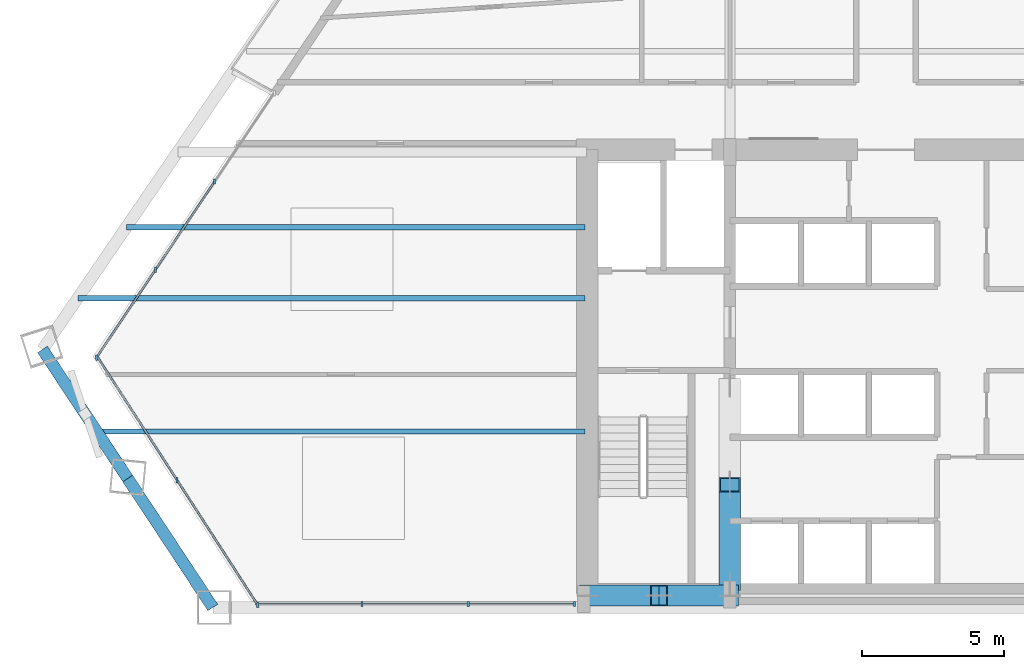
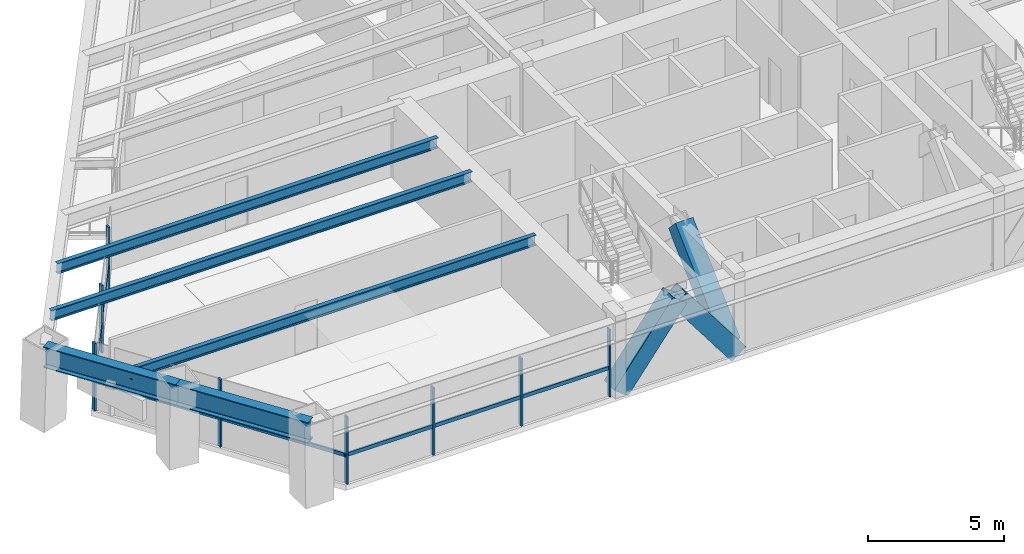
# One storey, part 2 of 14: 18 members, 5 beams, 3 elements without a shape of their own.
"""IFC4 building model written with IfcOpenShell, lengths in metres."""

from ifc_helpers import new_model, si_unit, direction, frame, origin, origin_2d, place, context, subcontext, project, spatial, rectangle, hollow_rectangle, i_section, extrude, source, transform, mapped, material, material_profile, profile_set, type_object, type_shapes, element, aggregate, save


model = new_model("IFC4")

# Units and contexts
model_context = context("Model", 3, precision=1e-05, world=origin(), true_north=direction((0.0, 1.0)))
body_context = subcontext(model_context, "Body", "Model", "MODEL_VIEW")
ifc_project = project(units=[si_unit("LENGTHUNIT", "METRE"), si_unit("AREAUNIT", "SQUARE_METRE"), si_unit("VOLUMEUNIT", "CUBIC_METRE"), si_unit("PLANEANGLEUNIT", "RADIAN"), si_unit("MASSUNIT", "GRAM", prefix="KILO")], contexts=[model_context])

# Site, building, storey
site_placement = place(None, origin())
site = spatial("IfcSite", under=ifc_project, at=site_placement, CompositionType="ELEMENT")
building_placement = place(site_placement, origin())
building = spatial("IfcBuilding", under=site, at=building_placement, Name="Varnakhor Terracotta Tower", CompositionType="ELEMENT")
storey_placement = place(building_placement, frame((0.0, 0.0, 98.800048828125)))
storey = spatial("IfcBuildingStorey", under=building, at=storey_placement, Name="L24", CompositionType="ELEMENT", Elevation=98.800048828125)

# Members
ifc_material_1 = material(Name="Steel S460", Category="steel")
ifc_material_profile_1 = material_profile(ifc_material_1, hollow_rectangle(XDim=0.75, YDim=0.75, WallThickness=0.044921875, at=origin_2d()), Name="HSS750X750X45")
ifc_profile_set_1 = profile_set([ifc_material_profile_1], Name="Steel S460")
member_type_1 = type_object("IfcMemberType", Name="MBR-MEGA-750", PredefinedType="BRACE", material=ifc_profile_set_1)
shared_shape_1 = source(origin(), body_context, "Body", "SweptSolid", [
    extrude(hollow_rectangle(XDim=0.75, YDim=0.75, WallThickness=0.044921875, at=origin_2d()), origin(), (0.0, 0.0, 1.0), 4.14013671875),
])
type_shapes(member_type_1, [shared_shape_1])
for number, where, z_axis, x_axis, name in (
    (1, (-10.5, 0.419921875, 0.0), (0.603852011179, 0.0, 0.797096448741), (0.0, 1.0, 0.0), "L24 Core Coupled Brace CSWA"),
    (2, (-5.5, 0.419921875, 0.0), (-0.603852011179, 0.0, 0.797096448741), (0.0, -1.0, 0.0), "L24 Core Coupled Brace CSWB"),
):
    element("IfcMember", number, at=place(storey_placement, frame(where, z_axis=z_axis, x_axis=x_axis)), inside=storey, type_object=member_type_1, Name=name, PredefinedType="BRACE", context=body_context, shape_type="MappedRepresentation", body=[
        mapped(shared_shape_1, transform((0.0, 0.0, 0.0), scale=1.0)),
    ])
shared_shape_2 = source(origin(), body_context, "Body", "SweptSolid", [
    extrude(hollow_rectangle(XDim=0.75, YDim=0.75, WallThickness=0.044921875, at=origin_2d()), origin(), (0.0, 0.0, 1.0), 4.792236328125),
])
member_1_placement = place(storey_placement, frame((-5.5, 0.85009765625, 0.0), z_axis=(0.0, 0.725110085518, 0.688632967466), x_axis=(-1.0, 0.0, 0.0)))
element("IfcMember", 3, at=member_1_placement, inside=storey, type_object=member_type_1, Name="L24 Core Coupled Brace CWWA", PredefinedType="BRACE", context=body_context, shape_type="MappedRepresentation", body=[
    mapped(shared_shape_2, transform((0.0, 0.0, 0.0), scale=1.0)),
])

# Beams
ifc_material_2 = material(Name="Steel S355", Category="steel")
ifc_material_profile_2 = material_profile(ifc_material_2, i_section(OverallWidth=0.41796875, OverallDepth=0.927001953125, WebThickness=0.01904296875, FlangeThickness=0.031982421875, FilletRadius=0.01806640625, at=origin_2d()), Name="W36X231")
ifc_profile_set_2 = profile_set([ifc_material_profile_2], Name="Steel S355")
beam_type_1 = type_object("IfcBeamType", Name="BM-W36X231", PredefinedType="BEAM", material=ifc_profile_set_2)
shared_shape_3 = source(origin(), body_context, "Body", "SweptSolid", [
    extrude(i_section(OverallWidth=0.41796875, OverallDepth=0.927001953125, WebThickness=0.01904296875, FlangeThickness=0.031982421875, FilletRadius=0.01806640625, at=origin_2d()), origin(), (0.0, 0.0, 1.0), 5.44482421875),
])
for number, where, z_axis, x_axis, name in (
    (4, (-29.70947265625, 9.08837890625, 2.986572265625), (0.550855326583, -0.834600748367, 0.0), (0.834600748367, 0.550855326583, 0.0), "L24 Perimeter Spandrel 7"),
    (5, (-26.710205078125, 4.544189453125, 2.986572265625), (0.550886558874, -0.834580133511, 0.0), (0.834580133511, 0.550886558874, 0.0), "L24 Perimeter Spandrel 8"),
):
    element("IfcBeam", number, at=place(storey_placement, frame(where, z_axis=z_axis, x_axis=x_axis)), inside=storey, type_object=beam_type_1, Name=name, PredefinedType="BEAM", context=body_context, shape_type="MappedRepresentation", body=[
        mapped(shared_shape_3, transform((0.0, 0.0, 0.0), scale=1.0)),
    ])
ifc_material_profile_3 = material_profile(ifc_material_2, i_section(OverallWidth=0.19189453125, OverallDepth=0.462890625, WebThickness=0.010498046875, FlangeThickness=0.017578125, FilletRadius=0.01806640625, at=origin_2d()), Name="W18X60")
ifc_profile_set_3 = profile_set([ifc_material_profile_3], Name="Steel S355")
beam_type_2 = type_object("IfcBeamType", Name="JST-W18X60", PredefinedType="JOIST", material=ifc_profile_set_3)
shared_shape_4 = source(origin(), body_context, "Body", "SweptSolid", [
    extrude(i_section(OverallWidth=0.19189453125, OverallDepth=0.462890625, WebThickness=0.010498046875, FlangeThickness=0.017578125, FilletRadius=0.01806640625, at=origin_2d()), origin(), (0.0, 0.0, 1.0), 17.202880859375),
])
beam_1_placement = place(storey_placement, frame((-27.802978515625, 6.199951171875, 3.218505859375), z_axis=(1.0, 0.0, 0.0), x_axis=(0.0, 1.0, 0.0)))
element("IfcBeam", 6, at=beam_1_placement, inside=storey, type_object=beam_type_2, Name="L24 Floor Joist W1", PredefinedType="JOIST", context=body_context, shape_type="MappedRepresentation", body=[
    mapped(shared_shape_4, transform((0.0, 0.0, 0.0), scale=1.0)),
])
shared_shape_5 = source(origin(), body_context, "Body", "SweptSolid", [
    extrude(i_section(OverallWidth=0.19189453125, OverallDepth=0.462890625, WebThickness=0.010498046875, FlangeThickness=0.017578125, FilletRadius=0.01806640625, at=origin_2d()), origin(), (0.0, 0.0, 1.0), 17.8701171875),
])
beam_2_placement = place(storey_placement, frame((-28.47021484375, 10.89990234375, 3.218505859375), z_axis=(1.0, 0.0, 0.0), x_axis=(0.0, 1.0, 0.0)))
element("IfcBeam", 7, at=beam_2_placement, inside=storey, type_object=beam_type_2, Name="L24 Floor Joist W2", PredefinedType="JOIST", context=body_context, shape_type="MappedRepresentation", body=[
    mapped(shared_shape_5, transform((0.0, 0.0, 0.0), scale=1.0)),
])
shared_shape_6 = source(origin(), body_context, "Body", "SweptSolid", [
    extrude(i_section(OverallWidth=0.19189453125, OverallDepth=0.462890625, WebThickness=0.010498046875, FlangeThickness=0.017578125, FilletRadius=0.01806640625, at=origin_2d()), origin(), (0.0, 0.0, 1.0), 16.159912109375),
])
beam_3_placement = place(storey_placement, frame((-26.760009765625, 13.39990234375, 3.218505859375), z_axis=(1.0, 0.0, 0.0), x_axis=(0.0, 1.0, 0.0)))
element("IfcBeam", 8, at=beam_3_placement, inside=storey, type_object=beam_type_2, Name="L24 Floor Joist W3", PredefinedType="JOIST", context=body_context, shape_type="MappedRepresentation", body=[
    mapped(shared_shape_6, transform((0.0, 0.0, 0.0), scale=1.0)),
])

# Curtain wall, members
ifc_material_3 = material(Name="Anodised Aluminium Curtain Wall System", Category="aluminium")
curtain_wall_type = type_object("IfcCurtainWallType", Name="CW-SYS-LOW-OFFICE", PredefinedType="NOTDEFINED", material=ifc_material_3)
curtain_wall_1_placement = place(storey_placement, origin())
curtain_wall_1 = element("IfcCurtainWall", 9, at=curtain_wall_1_placement, inside=storey, type_object=curtain_wall_type, Name="L24 W Facet Curtain Wall 1", PredefinedType="NOTDEFINED")
ifc_material_4 = material(Name="Anodised Aluminium 6063-T6", Category="aluminium")
ifc_material_profile_4 = material_profile(ifc_material_4, rectangle(XDim=0.074951171875, YDim=0.18505859375, at=origin_2d()), Name="ALU MULLION 75x185")
ifc_profile_set_4 = profile_set([ifc_material_profile_4], Name="Anodised Aluminium 6063-T6")
member_type_2 = type_object("IfcMemberType", Name="CWM-02", PredefinedType="MULLION", material=ifc_profile_set_4)
shared_shape_7 = source(origin(), body_context, "Body", "SweptSolid", [
    extrude(rectangle(XDim=0.074951171875, YDim=0.18505859375, at=origin_2d()), origin(), (0.0, 0.0, 1.0), 3.030029296875),
])
type_shapes(member_type_2, [shared_shape_7])
member_2_placement = place(storey_placement, frame((-27.8115234375, 8.80078125, 0.0), z_axis=(0.0, 0.0, 1.0), x_axis=(1.0, 0.0, 0.0)))
member_2 = element("IfcMember", 10, at=member_2_placement, type_object=member_type_2, Name="L24 W Facet Curtain Wall 1 Mullion 1", PredefinedType="MULLION", context=body_context, shape_type="MappedRepresentation", body=[
    mapped(shared_shape_7, transform((0.0, 0.0, 0.0), scale=1.0)),
])
member_3_placement = place(storey_placement, frame((-25.72998046875, 11.90185546875, 0.0), z_axis=(0.0, 0.0, 1.0), x_axis=(1.0, 0.0, 0.0)))
member_3 = element("IfcMember", 11, at=member_3_placement, type_object=member_type_2, Name="L24 W Facet Curtain Wall 1 Mullion 2", PredefinedType="MULLION", context=body_context, shape_type="MappedRepresentation", body=[
    mapped(shared_shape_7, transform((0.0, 0.0, 0.0), scale=1.0)),
])
member_4_placement = place(storey_placement, frame((-23.6484375, 15.003173828125, 0.0), z_axis=(0.0, 0.0, 1.0), x_axis=(1.0, 0.0, 0.0)))
member_4 = element("IfcMember", 12, at=member_4_placement, type_object=member_type_2, Name="L24 W Facet Curtain Wall 1 Mullion 3", PredefinedType="MULLION", context=body_context, shape_type="MappedRepresentation", body=[
    mapped(shared_shape_7, transform((0.0, 0.0, 0.0), scale=1.0)),
])

curtain_wall_2_placement = place(storey_placement, origin())
curtain_wall_2 = element("IfcCurtainWall", 13, at=curtain_wall_2_placement, inside=storey, type_object=curtain_wall_type, Name="L24 South Wing Curtain Wall SSW", PredefinedType="NOTDEFINED")
member_5_placement = place(storey_placement, frame((-10.969970703125, 0.1201171875, 0.0), z_axis=(0.0, 0.0, 1.0), x_axis=(1.0, 0.0, 0.0)))
member_5 = element("IfcMember", 14, at=member_5_placement, type_object=member_type_2, Name="L24 South Wing Curtain Wall SSW Mullion 1", PredefinedType="MULLION", context=body_context, shape_type="MappedRepresentation", body=[
    mapped(shared_shape_7, transform((0.0, 0.0, 0.0), scale=1.0)),
])
member_6_placement = place(storey_placement, frame((-14.715087890625, 0.1201171875, 0.0), z_axis=(0.0, 0.0, 1.0), x_axis=(1.0, 0.0, 0.0)))
member_6 = element("IfcMember", 15, at=member_6_placement, type_object=member_type_2, Name="L24 South Wing Curtain Wall SSW Mullion 2", PredefinedType="MULLION", context=body_context, shape_type="MappedRepresentation", body=[
    mapped(shared_shape_7, transform((0.0, 0.0, 0.0), scale=1.0)),
])
member_7_placement = place(storey_placement, frame((-18.460205078125, 0.1201171875, 0.0), z_axis=(0.0, 0.0, 1.0), x_axis=(1.0, 0.0, 0.0)))
member_7 = element("IfcMember", 16, at=member_7_placement, type_object=member_type_2, Name="L24 South Wing Curtain Wall SSW Mullion 3", PredefinedType="MULLION", context=body_context, shape_type="MappedRepresentation", body=[
    mapped(shared_shape_7, transform((0.0, 0.0, 0.0), scale=1.0)),
])

curtain_wall_3_placement = place(storey_placement, origin())
curtain_wall_3 = element("IfcCurtainWall", 17, at=curtain_wall_3_placement, inside=storey, type_object=curtain_wall_type, Name="L24 Facet Curtain Wall 6", PredefinedType="NOTDEFINED")
member_8_placement = place(storey_placement, frame((-22.130859375, 0.09033203125, 0.0), z_axis=(0.0, 0.0, 1.0), x_axis=(1.0, 0.0, 0.0)))
member_8 = element("IfcMember", 18, at=member_8_placement, type_object=member_type_2, Name="L24 Facet Curtain Wall 6 Mullion 1", PredefinedType="MULLION", context=body_context, shape_type="MappedRepresentation", body=[
    mapped(shared_shape_7, transform((0.0, 0.0, 0.0), scale=1.0)),
])
member_9_placement = place(storey_placement, frame((-24.970947265625, 4.486572265625, 0.0), z_axis=(0.0, 0.0, 1.0), x_axis=(1.0, 0.0, 0.0)))
member_9 = element("IfcMember", 19, at=member_9_placement, type_object=member_type_2, Name="L24 Facet Curtain Wall 6 Mullion 2", PredefinedType="MULLION", context=body_context, shape_type="MappedRepresentation", body=[
    mapped(shared_shape_7, transform((0.0, 0.0, 0.0), scale=1.0)),
])

# Member
ifc_material_profile_5 = material_profile(ifc_material_4, rectangle(XDim=0.074951171875, YDim=0.1650390625, at=origin_2d()), Name="ALU TRANSOM 75x165")
ifc_profile_set_5 = profile_set([ifc_material_profile_5], Name="Anodised Aluminium 6063-T6")
member_type_3 = type_object("IfcMemberType", Name="CWT-02", PredefinedType="USERDEFINED", material=ifc_profile_set_5)
shared_shape_8 = source(origin(), body_context, "Body", "SweptSolid", [
    extrude(rectangle(XDim=0.074951171875, YDim=0.1650390625, at=origin_2d()), origin(), (0.0, 0.0, 1.0), 3.73486328125),
])
member_10_placement = place(storey_placement, frame((-27.8115234375, 8.80078125, 1.2724609375), z_axis=(0.557322187517, 0.830296320178, 0.0), x_axis=(-0.830296320178, 0.557322187517, 0.0)))
member_10 = element("IfcMember", 20, at=member_10_placement, type_object=member_type_3, Name="L24 W Facet Curtain Wall 1 Transom 1", ObjectType="TRANSOM", PredefinedType="USERDEFINED", context=body_context, shape_type="MappedRepresentation", body=[
    mapped(shared_shape_8, transform((0.0, 0.0, 0.0), scale=1.0)),
])

shared_shape_9 = source(origin(), body_context, "Body", "SweptSolid", [
    extrude(rectangle(XDim=0.074951171875, YDim=0.1650390625, at=origin_2d()), origin(), (0.0, 0.0, 1.0), 3.735107421875),
])
member_11_placement = place(storey_placement, frame((-25.72998046875, 11.90185546875, 1.2724609375), z_axis=(0.557291940525, 0.830316622154, 0.0), x_axis=(-0.830316622154, 0.557291940525, 0.0)))
member_11 = element("IfcMember", 21, at=member_11_placement, type_object=member_type_3, Name="L24 W Facet Curtain Wall 1 Transom 2", ObjectType="TRANSOM", PredefinedType="USERDEFINED", context=body_context, shape_type="MappedRepresentation", body=[
    mapped(shared_shape_9, transform((0.0, 0.0, 0.0), scale=1.0)),
])

aggregate(curtain_wall_1, [member_2, member_10, member_3, member_11, member_4])

shared_shape_10 = source(origin(), body_context, "Body", "SweptSolid", [
    extrude(rectangle(XDim=0.074951171875, YDim=0.1650390625, at=origin_2d()), origin(), (0.0, 0.0, 1.0), 3.7451171875),
])
member_12_placement = place(storey_placement, frame((-10.969970703125, 0.1201171875, 1.2724609375), z_axis=(-1.0, 0.0, 0.0), x_axis=(0.0, -1.0, 0.0)))
member_12 = element("IfcMember", 22, at=member_12_placement, type_object=member_type_3, Name="L24 South Wing Curtain Wall SSW Transom 1", ObjectType="TRANSOM", PredefinedType="USERDEFINED", context=body_context, shape_type="MappedRepresentation", body=[
    mapped(shared_shape_10, transform((0.0, 0.0, 0.0), scale=1.0)),
])

member_13_placement = place(storey_placement, frame((-14.715087890625, 0.1201171875, 1.2724609375), z_axis=(-1.0, 0.0, 0.0), x_axis=(0.0, -1.0, 0.0)))
member_13 = element("IfcMember", 23, at=member_13_placement, type_object=member_type_3, Name="L24 South Wing Curtain Wall SSW Transom 2", ObjectType="TRANSOM", PredefinedType="USERDEFINED", context=body_context, shape_type="MappedRepresentation", body=[
    mapped(shared_shape_10, transform((0.0, 0.0, 0.0), scale=1.0)),
])

member_14_placement = place(storey_placement, frame((-18.460205078125, 0.1201171875, 1.2724609375), z_axis=(-1.0, 0.0, 0.0), x_axis=(0.0, -1.0, 0.0)))
member_14 = element("IfcMember", 24, at=member_14_placement, type_object=member_type_3, Name="L24 South Wing Curtain Wall SSW Transom 3", ObjectType="TRANSOM", PredefinedType="USERDEFINED", context=body_context, shape_type="MappedRepresentation", body=[
    mapped(shared_shape_10, transform((0.0, 0.0, 0.0), scale=1.0)),
])

aggregate(curtain_wall_2, [member_5, member_12, member_6, member_13, member_7, member_14])

shared_shape_11 = source(origin(), body_context, "Body", "SweptSolid", [
    extrude(rectangle(XDim=0.074951171875, YDim=0.1650390625, at=origin_2d()), origin(), (0.0, 0.0, 1.0), 5.23388671875),
])
member_15_placement = place(storey_placement, frame((-22.130859375, 0.09033203125, 1.2724609375), z_axis=(-0.54263994992, 0.839965406878, 0.0), x_axis=(-0.839965406878, -0.54263994992, 0.0)))
member_15 = element("IfcMember", 25, at=member_15_placement, type_object=member_type_3, Name="L24 Facet Curtain Wall 6 Transom 1", ObjectType="TRANSOM", PredefinedType="USERDEFINED", context=body_context, shape_type="MappedRepresentation", body=[
    mapped(shared_shape_11, transform((0.0, 0.0, 0.0), scale=1.0)),
])

shared_shape_12 = source(origin(), body_context, "Body", "SweptSolid", [
    extrude(rectangle(XDim=0.074951171875, YDim=0.1650390625, at=origin_2d()), origin(), (0.0, 0.0, 1.0), 5.2333984375),
])
member_16_placement = place(storey_placement, frame((-24.970947265625, 4.486572265625, 1.2724609375), z_axis=(-0.542628299449, 0.839972933277, 0.0), x_axis=(-0.839972933277, -0.542628299449, 0.0)))
member_16 = element("IfcMember", 26, at=member_16_placement, type_object=member_type_3, Name="L24 Facet Curtain Wall 6 Transom 2", ObjectType="TRANSOM", PredefinedType="USERDEFINED", context=body_context, shape_type="MappedRepresentation", body=[
    mapped(shared_shape_12, transform((0.0, 0.0, 0.0), scale=1.0)),
])

aggregate(curtain_wall_3, [member_8, member_15, member_9, member_16])

save(model, "model.ifc")
